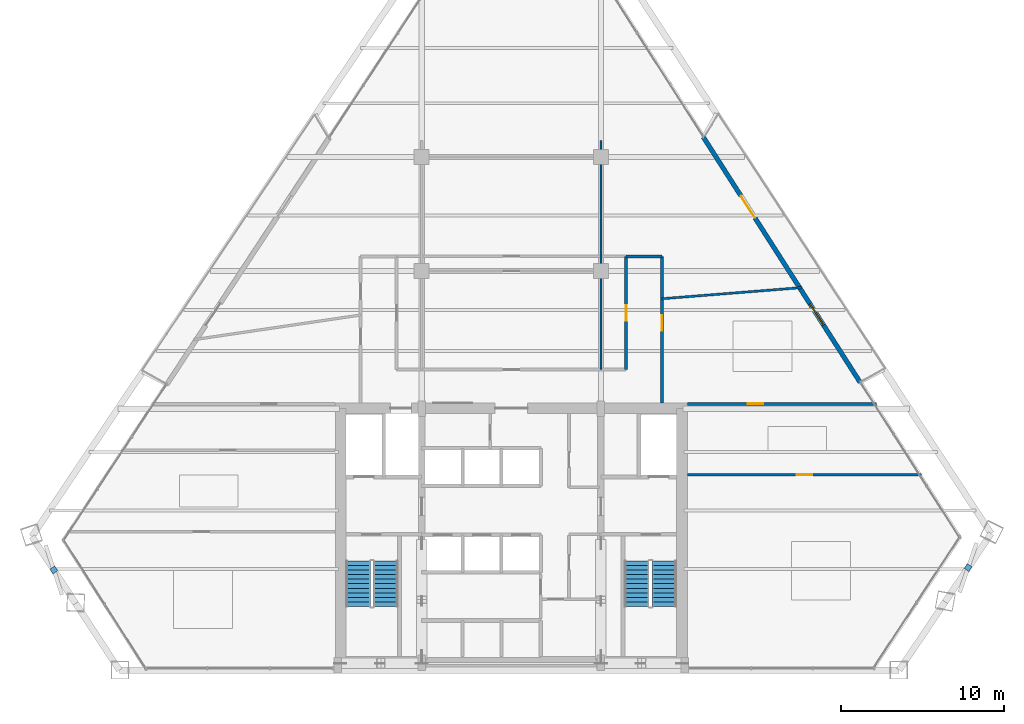
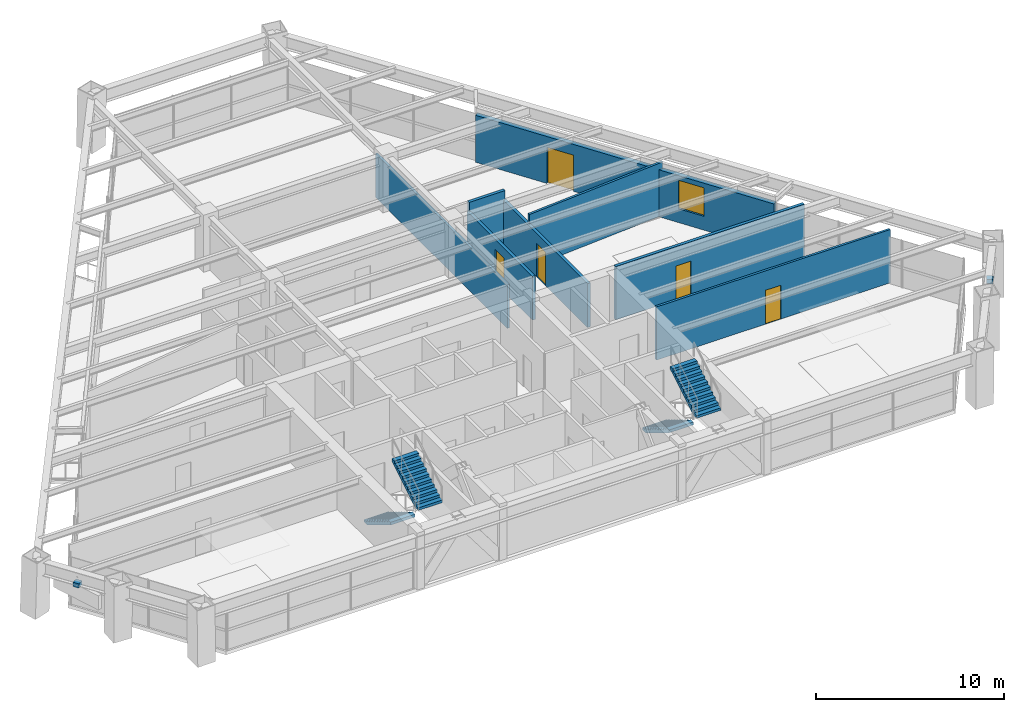
# One storey, part 12 of 14: 8 walls, 5 doors, 4 stair flights, 2 discrete accessories, 1 window, 6 openings, 2 elements without a shape of their own.
"""IFC4 building model written with IfcOpenShell, lengths in metres."""

from ifc_helpers import new_model, si_unit, direction, frame, frame_2d, origin, origin_2d, place, context, subcontext, project, spatial, polyline, rectangle, outline, extrude, source, transform, mapped, material, layer, layer_set, type_object, type_shapes, element, fill, aggregate, save


model = new_model("IFC4")

# Units and contexts
model_context = context("Model", 3, precision=1e-05, world=origin(), true_north=direction((0.0, 1.0)))
body_context = subcontext(model_context, "Body", "Model", "MODEL_VIEW")
ifc_project = project(units=[si_unit("LENGTHUNIT", "METRE"), si_unit("AREAUNIT", "SQUARE_METRE"), si_unit("VOLUMEUNIT", "CUBIC_METRE"), si_unit("PLANEANGLEUNIT", "RADIAN"), si_unit("MASSUNIT", "GRAM", prefix="KILO")], contexts=[model_context])

# Site, building, storey
site_placement = place(None, origin())
site = spatial("IfcSite", under=ifc_project, at=site_placement, CompositionType="ELEMENT")
building_placement = place(site_placement, origin())
building = spatial("IfcBuilding", under=site, at=building_placement, Name="Varnakhor Terracotta Tower", CompositionType="ELEMENT")
storey_placement = place(building_placement, frame((0.0, 0.0, 125.60009765625)))
storey = spatial("IfcBuildingStorey", under=building, at=storey_placement, Name="L31", CompositionType="ELEMENT", Elevation=125.60009765625)

# Wall, opening, door
ifc_material_1 = material(Name="Fire-Rated Gypsum Stud Partition", Category="gypsum")
ifc_layer_1 = layer(ifc_material_1, 0.18505859375, Name="Fire-Rated Gypsum Stud Partition")
ifc_layer_set_1 = layer_set([ifc_layer_1], Name="Fire-Rated Gypsum Stud Partition")
wall_type_1 = type_object("IfcWallType", Name="WAL-CORR-185", PredefinedType="PARTITIONING", material=ifc_layer_set_1)
wall_1_placement = place(storey_placement, frame((7.050048828125, 18.449951171875, 0.0), z_axis=(0.0, 0.0, 1.0), x_axis=(0.0, 1.0, 0.0)))
wall_1 = element("IfcWall", 1, at=wall_1_placement, inside=storey, type_object=wall_type_1, Name="L31 East Gallery Inner Wall", PredefinedType="PARTITIONING", context=body_context, shape_type="SweptSolid", body=[
    extrude(rectangle(XDim=6.949951171875, YDim=0.18505859375, at=frame_2d((3.47509765625, 0.0))), origin(), (0.0, 0.0, 1.0), 2.845947265625),
])
opening_1_placement = place(wall_1_placement, frame((3.0, 0.0, 0.0)))
opening_1 = element("IfcOpeningElement", 2, at=opening_1_placement, cuts=wall_1, Name="Opening DR-94", PredefinedType="OPENING", context=body_context, shape_type="SweptSolid", body=[
    extrude(rectangle(XDim=0.949951171875, YDim=2.199951171875, at=frame_2d((0.47509765625, 1.10009765625))), frame((0.0, 0.1025390625, 0.0), z_axis=(0.0, -1.0, 0.0), x_axis=(1.0, 0.0, 0.0)), (0.0, 0.0, 1.0), 0.205078125),
])
ifc_material_2 = material(Name="Acoustic Glazed-Vision Timber Office Door", Category="wood")
door_type_1 = type_object("IfcDoorType", Name="DR-OFF-950X2200", OperationType="NOTDEFINED", PredefinedType="DOOR", material=ifc_material_2)
shared_shape_1 = source(origin(), body_context, "Body", "SweptSolid", [
    extrude(rectangle(XDim=0.949951171875, YDim=2.199951171875, at=frame_2d((0.47509765625, 1.10009765625))), frame((0.0, 0.02490234375, 0.0), z_axis=(0.0, -1.0, 0.0), x_axis=(1.0, 0.0, 0.0)), (0.0, 0.0, 1.0), 0.050048828125),
])
type_shapes(door_type_1, [shared_shape_1])
door_1_placement = place(opening_1_placement, origin())
door_1 = element("IfcDoor", 3, at=door_1_placement, inside=storey, type_object=door_type_1, Name="L31 Corporate Office W2 B11 Door", OperationType="SINGLE_SWING_LEFT", OverallHeight=2.199951171875, OverallWidth=0.949951171875, PredefinedType="DOOR", context=body_context, shape_type="MappedRepresentation", body=[
    mapped(shared_shape_1, transform((0.0, 0.0, 0.0), scale=1.0)),
])
fill(opening_1, door_1)

wall_2_placement = place(storey_placement, frame((9.25, 16.39990234375, 0.0), z_axis=(0.0, 0.0, 1.0), x_axis=(0.0, 1.0, 0.0)))
wall_2 = element("IfcWall", 4, at=wall_2_placement, inside=storey, type_object=wall_type_1, Name="L31 East Gallery Outer Wall", PredefinedType="PARTITIONING", context=body_context, shape_type="SweptSolid", body=[
    extrude(rectangle(XDim=9.0, YDim=0.18505859375, at=frame_2d((4.5, 0.0))), origin(), (0.0, 0.0, 1.0), 2.845947265625),
])
opening_2_placement = place(wall_2_placement, frame((4.44091796875, 0.0, 0.0)))
opening_2 = element("IfcOpeningElement", 5, at=opening_2_placement, cuts=wall_2, Name="Opening DR-94", PredefinedType="OPENING", context=body_context, shape_type="SweptSolid", body=[
    extrude(rectangle(XDim=0.949951171875, YDim=2.199951171875, at=frame_2d((0.47509765625, 1.10009765625))), frame((0.0, 0.1025390625, 0.0), z_axis=(0.0, -1.0, 0.0), x_axis=(1.0, 0.0, 0.0)), (0.0, 0.0, 1.0), 0.205078125),
])
door_2_placement = place(opening_2_placement, origin())
door_2 = element("IfcDoor", 6, at=door_2_placement, inside=storey, type_object=door_type_1, Name="L31 East Wing Door", OperationType="SINGLE_SWING_LEFT", OverallHeight=2.199951171875, OverallWidth=0.949951171875, PredefinedType="DOOR", context=body_context, shape_type="MappedRepresentation", body=[
    mapped(shared_shape_1, transform((0.0, 0.0, 0.0), scale=1.0)),
])
fill(opening_2, door_2)

# Wall
wall_3_placement = place(storey_placement, frame((7.050048828125, 25.39990234375, 0.0), z_axis=(0.0, 0.0, 1.0), x_axis=(1.0, 0.0, 0.0)))
element("IfcWall", 7, at=wall_3_placement, inside=storey, type_object=wall_type_1, Name="L31 East Gallery North End", PredefinedType="PARTITIONING", context=body_context, shape_type="SweptSolid", body=[
    extrude(rectangle(XDim=2.199951171875, YDim=0.18505859375, at=frame_2d((1.10009765625, 0.0))), origin(), (0.0, 0.0, 1.0), 3.4619140625),
])

# Wall, opening, door
wall_4_placement = place(storey_placement, frame((10.820068359375, 16.35009765625, 0.0), z_axis=(0.0, 0.0, 1.0), x_axis=(1.0, 0.0, 0.0)))
wall_4 = element("IfcWall", 8, at=wall_4_placement, inside=storey, type_object=wall_type_1, Name="L31 South East Entry Wall", PredefinedType="PARTITIONING", context=body_context, shape_type="SweptSolid", body=[
    extrude(rectangle(XDim=11.587646484375, YDim=0.18505859375, at=frame_2d((5.7939453125, 0.0))), origin(), (0.0, 0.0, 1.0), 3.4619140625),
])
opening_3_placement = place(wall_4_placement, frame((3.6826171875, 0.0, 0.0)))
opening_3 = element("IfcOpeningElement", 9, at=opening_3_placement, cuts=wall_4, Name="Opening DR-94", PredefinedType="OPENING", context=body_context, shape_type="SweptSolid", body=[
    extrude(rectangle(XDim=0.949951171875, YDim=2.199951171875, at=frame_2d((0.47509765625, 1.10009765625))), frame((0.0, 0.1025390625, 0.0), z_axis=(0.0, -1.0, 0.0), x_axis=(1.0, 0.0, 0.0)), (0.0, 0.0, 1.0), 0.205078125),
])
door_3_placement = place(opening_3_placement, origin())
door_3 = element("IfcDoor", 10, at=door_3_placement, inside=storey, type_object=door_type_1, Name="L31 SE Suite Door", OperationType="SINGLE_SWING_LEFT", OverallHeight=2.199951171875, OverallWidth=0.949951171875, PredefinedType="DOOR", context=body_context, shape_type="MappedRepresentation", body=[
    mapped(shared_shape_1, transform((0.0, 0.0, 0.0), scale=1.0)),
])
fill(opening_3, door_3)

# Wall, openings, door, window
ifc_material_3 = material(Name="Extruded Architectural Terracotta Assembly", Category="masonry")
ifc_layer_2 = layer(ifc_material_3, 0.280029296875, Name="Extruded Architectural Terracotta Assembly")
ifc_layer_set_2 = layer_set([ifc_layer_2], Name="Extruded Architectural Terracotta Assembly")
wall_type_2 = type_object("IfcWallType", Name="WAL-EXT-TERRACOTTA-280", PredefinedType="SOLIDWALL", material=ifc_layer_set_2)
wall_5_placement = place(storey_placement, frame((11.77880859375, 32.734130859375, 0.0), z_axis=(0.0, 0.0, 1.0), x_axis=(0.538643749174, -0.842533626318, 0.0)))
wall_5 = element("IfcWall", 11, at=wall_5_placement, inside=storey, type_object=wall_type_2, Name="L31 E Loggia Insulated Terracotta Wall", PredefinedType="SOLIDWALL", context=body_context, shape_type="SweptSolid", body=[
    extrude(rectangle(XDim=17.882568359375, YDim=0.280029296875, at=frame_2d((8.94140625, 0.0))), origin(), (0.0, 0.0, 1.0), 3.0498046875),
])
opening_4_placement = place(wall_5_placement, frame((4.291748046875, 0.0, 0.0)))
opening_4 = element("IfcOpeningElement", 12, at=opening_4_placement, cuts=wall_5, Name="Opening DR-62", PredefinedType="OPENING", context=body_context, shape_type="SweptSolid", body=[
    extrude(rectangle(XDim=1.60009765625, YDim=2.35009765625, at=frame_2d((0.800048828125, 1.175048828125))), frame((0.0, 0.14990234375, 0.0), z_axis=(0.0, -1.0, 0.0), x_axis=(1.0, 0.0, 0.0)), (0.0, 0.0, 1.0), 0.300048828125),
])
opening_5_placement = place(wall_5_placement, frame((12.159912109375, 0.0, 0.89990234375)))
opening_5 = element("IfcOpeningElement", 13, at=opening_5_placement, cuts=wall_5, Name="Opening WN-57", PredefinedType="OPENING", context=body_context, shape_type="SweptSolid", body=[
    extrude(rectangle(XDim=1.550048828125, YDim=1.85009765625, at=frame_2d((0.77490234375, 0.925048828125))), frame((0.0, 0.14990234375, 0.0), z_axis=(0.0, -1.0, 0.0), x_axis=(1.0, 0.0, 0.0)), (0.0, 0.0, 1.0), 0.300048828125),
])
ifc_material_4 = material(Name="Thermally Broken Sliding Glass Loggia Door", Category="glass")
door_type_2 = type_object("IfcDoorType", Name="DR-EXT-LOGGIA-1600X2350", OperationType="NOTDEFINED", PredefinedType="DOOR", material=ifc_material_4)
shared_shape_2 = source(origin(), body_context, "Body", "SweptSolid", [
    extrude(rectangle(XDim=1.60009765625, YDim=2.35009765625, at=frame_2d((0.800048828125, 1.175048828125))), frame((0.0, 0.02490234375, 0.0), z_axis=(0.0, -1.0, 0.0), x_axis=(1.0, 0.0, 0.0)), (0.0, 0.0, 1.0), 0.050048828125),
])
type_shapes(door_type_2, [shared_shape_2])
door_4_placement = place(opening_4_placement, origin())
door_4 = element("IfcDoor", 14, at=door_4_placement, inside=storey, type_object=door_type_2, Name="L31 E Recessed Loggia Sliding Door", OperationType="SLIDING_TO_RIGHT", OverallHeight=2.35009765625, OverallWidth=1.60009765625, PredefinedType="DOOR", context=body_context, shape_type="MappedRepresentation", body=[
    mapped(shared_shape_2, transform((0.0, 0.0, 0.0), scale=1.0)),
])
fill(opening_4, door_4)
ifc_material_5 = material(Name="Solar-Control Low-E Insulated Glass Unit", Category="glass")
window_type = type_object("IfcWindowType", Name="WIN-OFF-1650X2100", PartitioningType="SINGLE_PANEL", PredefinedType="WINDOW", material=ifc_material_5)
shared_shape_3 = source(origin(), body_context, "Body", "SweptSolid", [
    extrude(rectangle(XDim=1.550048828125, YDim=1.85009765625, at=frame_2d((0.77490234375, 0.925048828125))), frame((0.0, 0.030029296875, 0.0), z_axis=(0.0, -1.0, 0.0), x_axis=(1.0, 0.0, 0.0)), (0.0, 0.0, 1.0), 0.06005859375),
])
type_shapes(window_type, [shared_shape_3])
window_placement = place(opening_5_placement, origin())
window = element("IfcWindow", 15, at=window_placement, inside=storey, type_object=window_type, Name="L31 E Facet Punched Window", OverallHeight=1.85009765625, OverallWidth=1.550048828125, PartitioningType="SINGLE_PANEL", PredefinedType="WINDOW", context=body_context, shape_type="MappedRepresentation", body=[
    mapped(shared_shape_3, transform((0.0, 0.0, 0.0), scale=1.0)),
])
fill(opening_5, window)

# Wall
ifc_material_6 = material(Name="Acoustic Metal-Stud Partition", Category="gypsum")
ifc_layer_3 = layer(ifc_material_6, 0.139892578125, Name="Acoustic Metal-Stud Partition")
ifc_layer_set_3 = layer_set([ifc_layer_3], Name="Acoustic Metal-Stud Partition")
wall_type_3 = type_object("IfcWallType", Name="WAL-PART-140", PredefinedType="PARTITIONING", material=ifc_layer_set_3)
wall_6_placement = place(storey_placement, frame((5.5, 18.449951171875, 0.0), z_axis=(0.0, 0.0, 1.0), x_axis=(0.0, 1.0, 0.0)))
element("IfcWall", 16, at=wall_6_placement, inside=storey, type_object=wall_type_3, Name="L31 Center East Column Wall", PredefinedType="PARTITIONING", context=body_context, shape_type="SweptSolid", body=[
    extrude(rectangle(XDim=14.050048828125, YDim=0.139892578125, at=frame_2d((7.02490234375, 0.0))), origin(), (0.0, 0.0, 1.0), 2.845947265625),
])

# Wall, opening, door
wall_7_placement = place(storey_placement, frame((10.820068359375, 12.0, 0.0), z_axis=(0.0, 0.0, 1.0), x_axis=(1.0, 0.0, 0.0)))
wall_7 = element("IfcWall", 17, at=wall_7_placement, inside=storey, type_object=wall_type_3, Name="L31 East Wing Cut 1", PredefinedType="PARTITIONING", context=body_context, shape_type="SweptSolid", body=[
    extrude(rectangle(XDim=14.368896484375, YDim=0.139892578125, at=frame_2d((7.1845703125, 0.0))), origin(), (0.0, 0.0, 1.0), 3.4619140625),
])
opening_6_placement = place(wall_7_placement, frame((6.701171875, 0.0, 0.0)))
opening_6 = element("IfcOpeningElement", 18, at=opening_6_placement, cuts=wall_7, Name="Opening DR-94", PredefinedType="OPENING", context=body_context, shape_type="SweptSolid", body=[
    extrude(rectangle(XDim=0.949951171875, YDim=2.199951171875, at=frame_2d((0.47509765625, 1.10009765625))), frame((0.0, 0.080078125, 0.0), z_axis=(0.0, -1.0, 0.0), x_axis=(1.0, 0.0, 0.0)), (0.0, 0.0, 1.0), 0.159912109375),
])
door_5_placement = place(opening_6_placement, origin())
door_5 = element("IfcDoor", 19, at=door_5_placement, inside=storey, type_object=door_type_1, Name="L31 Corporate Office W1 SE Door", OperationType="SINGLE_SWING_RIGHT", OverallHeight=2.199951171875, OverallWidth=0.949951171875, PredefinedType="DOOR", context=body_context, shape_type="MappedRepresentation", body=[
    mapped(shared_shape_1, transform((0.0, 0.0, 0.0), scale=1.0)),
])
fill(opening_6, door_5)

# Wall
wall_8_placement = place(storey_placement, frame((9.25, 22.800048828125, 0.0), z_axis=(0.0, 0.0, 1.0), x_axis=(0.996834873158, 0.079499909791, 0.0)))
element("IfcWall", 20, at=wall_8_placement, inside=storey, type_object=wall_type_3, Name="L31 East Wing Cut 2", PredefinedType="PARTITIONING", context=body_context, shape_type="SweptSolid", body=[
    extrude(rectangle(XDim=8.623291015625, YDim=0.139892578125, at=frame_2d((4.3115234375, 0.0))), origin(), (0.0, 0.0, 1.0), 3.4619140625),
])

# Stair, stair flights
ifc_material_7 = material(Name="Concrete C40/50", Category="concrete")
stair_type = type_object("IfcStairType", Name="STR-CORE-OFFICE-1500", PredefinedType="HALF_TURN_STAIR", material=ifc_material_7)
stair_1_placement = place(storey_placement, origin())
stair_1 = element("IfcStair", 21, at=stair_1_placement, inside=storey, type_object=stair_type, Name="L31 Core Exit Stair ST-1", PredefinedType="HALF_TURN_STAIR")
stair_flight_type = type_object("IfcStairFlightType", Name="FLT-CORE-1500", PredefinedType="STRAIGHT", material=ifc_material_7)
stair_flight_1_placement = place(storey_placement, frame((-9.39990234375, 6.7099609375, 0.0), z_axis=(0.0, 0.0, 1.0), x_axis=(0.0, -1.0, 0.0)))
stair_flight_1 = element("IfcStairFlight", 22, at=stair_flight_1_placement, type_object=stair_flight_type, Name="ST-1 flight 1", NumberOfRisers=11, NumberOfTreads=10, PredefinedType="STRAIGHT", RiserHeight=0.168181818, TreadLength=0.28, context=body_context, shape_type="SweptSolid", body=[
    extrude(outline(polyline([(0.0, 0.0), (0.0, 0.168212890625), (0.280029296875, 0.168212890625), (0.280029296875, 0.33642578125), (0.56005859375, 0.33642578125), (0.56005859375, 0.504638671875), (0.840087890625, 0.504638671875), (0.840087890625, 0.672607421875), (1.1201171875, 0.672607421875), (1.1201171875, 0.8408203125), (1.39990234375, 0.8408203125), (1.39990234375, 1.009033203125), (1.679931640625, 1.009033203125), (1.679931640625, 1.17724609375), (1.9599609375, 1.17724609375), (1.9599609375, 1.345458984375), (2.239990234375, 1.345458984375), (2.239990234375, 1.513671875), (2.52001953125, 1.513671875), (2.52001953125, 1.681884765625), (2.800048828125, 1.681884765625), (2.800048828125, 1.85009765625), (2.800048828125, 1.495361328125), (0.310546875, 0.0), (0.0, 0.0)])), frame((0.0, 0.75, 0.0), z_axis=(0.0, -1.0, 0.0), x_axis=(1.0, 0.0, 0.0)), (0.0, 0.0, 1.0), 1.5),
])
stair_flight_2_placement = place(storey_placement, frame((-7.699951171875, 3.909912109375, 1.849853515625), z_axis=(0.0, 0.0, 1.0), x_axis=(0.0, 1.0, 0.0)))
stair_flight_2 = element("IfcStairFlight", 23, at=stair_flight_2_placement, type_object=stair_flight_type, Name="ST-1 flight 2", NumberOfRisers=11, NumberOfTreads=10, PredefinedType="STRAIGHT", RiserHeight=0.168181818, TreadLength=0.28, context=body_context, shape_type="SweptSolid", body=[
    extrude(outline(polyline([(0.0, 0.0), (0.0, 0.168212890625), (0.280029296875, 0.168212890625), (0.280029296875, 0.33642578125), (0.56005859375, 0.33642578125), (0.56005859375, 0.504638671875), (0.840087890625, 0.504638671875), (0.840087890625, 0.672607421875), (1.1201171875, 0.672607421875), (1.1201171875, 0.8408203125), (1.39990234375, 0.8408203125), (1.39990234375, 1.009033203125), (1.679931640625, 1.009033203125), (1.679931640625, 1.17724609375), (1.9599609375, 1.17724609375), (1.9599609375, 1.345458984375), (2.239990234375, 1.345458984375), (2.239990234375, 1.513671875), (2.52001953125, 1.513671875), (2.52001953125, 1.681884765625), (2.800048828125, 1.681884765625), (2.800048828125, 1.85009765625), (2.800048828125, 1.495361328125), (0.310546875, 0.0), (0.0, 0.0)])), frame((0.0, 0.75, 0.0), z_axis=(0.0, -1.0, 0.0), x_axis=(1.0, 0.0, 0.0)), (0.0, 0.0, 1.0), 1.5),
])
aggregate(stair_1, [stair_flight_1, stair_flight_2])

stair_2_placement = place(storey_placement, origin())
stair_2 = element("IfcStair", 24, at=stair_2_placement, inside=storey, type_object=stair_type, Name="L31 Core Exit Stair ST-2", PredefinedType="HALF_TURN_STAIR")
stair_flight_3_placement = place(storey_placement, frame((7.699951171875, 6.7099609375, 0.0), z_axis=(0.0, 0.0, 1.0), x_axis=(0.0, -1.0, 0.0)))
stair_flight_3 = element("IfcStairFlight", 25, at=stair_flight_3_placement, type_object=stair_flight_type, Name="ST-2 flight 1", NumberOfRisers=11, NumberOfTreads=10, PredefinedType="STRAIGHT", RiserHeight=0.168181818, TreadLength=0.28, context=body_context, shape_type="SweptSolid", body=[
    extrude(outline(polyline([(0.0, 0.0), (0.0, 0.168212890625), (0.280029296875, 0.168212890625), (0.280029296875, 0.33642578125), (0.56005859375, 0.33642578125), (0.56005859375, 0.504638671875), (0.840087890625, 0.504638671875), (0.840087890625, 0.672607421875), (1.1201171875, 0.672607421875), (1.1201171875, 0.8408203125), (1.39990234375, 0.8408203125), (1.39990234375, 1.009033203125), (1.679931640625, 1.009033203125), (1.679931640625, 1.17724609375), (1.9599609375, 1.17724609375), (1.9599609375, 1.345458984375), (2.239990234375, 1.345458984375), (2.239990234375, 1.513671875), (2.52001953125, 1.513671875), (2.52001953125, 1.681884765625), (2.800048828125, 1.681884765625), (2.800048828125, 1.85009765625), (2.800048828125, 1.495361328125), (0.310546875, 0.0), (0.0, 0.0)])), frame((0.0, 0.75, 0.0), z_axis=(0.0, -1.0, 0.0), x_axis=(1.0, 0.0, 0.0)), (0.0, 0.0, 1.0), 1.5),
])
stair_flight_4_placement = place(storey_placement, frame((9.39990234375, 3.909912109375, 1.849853515625), z_axis=(0.0, 0.0, 1.0), x_axis=(0.0, 1.0, 0.0)))
stair_flight_4 = element("IfcStairFlight", 26, at=stair_flight_4_placement, type_object=stair_flight_type, Name="ST-2 flight 2", NumberOfRisers=11, NumberOfTreads=10, PredefinedType="STRAIGHT", RiserHeight=0.168181818, TreadLength=0.28, context=body_context, shape_type="SweptSolid", body=[
    extrude(outline(polyline([(0.0, 0.0), (0.0, 0.168212890625), (0.280029296875, 0.168212890625), (0.280029296875, 0.33642578125), (0.56005859375, 0.33642578125), (0.56005859375, 0.504638671875), (0.840087890625, 0.504638671875), (0.840087890625, 0.672607421875), (1.1201171875, 0.672607421875), (1.1201171875, 0.8408203125), (1.39990234375, 0.8408203125), (1.39990234375, 1.009033203125), (1.679931640625, 1.009033203125), (1.679931640625, 1.17724609375), (1.9599609375, 1.17724609375), (1.9599609375, 1.345458984375), (2.239990234375, 1.345458984375), (2.239990234375, 1.513671875), (2.52001953125, 1.513671875), (2.52001953125, 1.681884765625), (2.800048828125, 1.681884765625), (2.800048828125, 1.85009765625), (2.800048828125, 1.495361328125), (0.310546875, 0.0), (0.0, 0.0)])), frame((0.0, 0.75, 0.0), z_axis=(0.0, -1.0, 0.0), x_axis=(1.0, 0.0, 0.0)), (0.0, 0.0, 1.0), 1.5),
])
aggregate(stair_2, [stair_flight_3, stair_flight_4])

# Discrete accessories
ifc_material_8 = material(Name="Stainless Steel Fixing Bracket", Category="steel")
discrete_accessory_type = type_object("IfcDiscreteAccessoryType", Name="BRACKET-TERRACOTTA-SCREEN", PredefinedType="BRACKET", material=ifc_material_8)
shared_shape_4 = source(origin(), body_context, "Body", "SweptSolid", [
    extrude(rectangle(XDim=0.35009765625, YDim=0.35009765625, at=origin_2d()), origin(), (0.0, 0.0, 1.0), 0.280029296875),
])
type_shapes(discrete_accessory_type, [shared_shape_4])
for number, where, z_axis, x_axis, name in (
    (27, (28.0380859375, 6.290283203125, 2.48486328125), (0.0, 0.0, 1.0), (0.557832024605, 0.829953873613, 0.0), "L31 E Screen Fixing Bracket"),
    (28, (-28.080810546875, 6.152099609375, 2.48486328125), (0.0, 0.0, 1.0), (0.547577827701, -0.83675475655, 0.0), "L31 W Screen Fixing Bracket"),
):
    element("IfcDiscreteAccessory", number, at=place(storey_placement, frame(where, z_axis=z_axis, x_axis=x_axis)), inside=storey, type_object=discrete_accessory_type, Name=name, PredefinedType="BRACKET", context=body_context, shape_type="MappedRepresentation", body=[
        mapped(shared_shape_4, transform((0.0, 0.0, 0.0), scale=1.0)),
    ])

save(model, "model.ifc")
